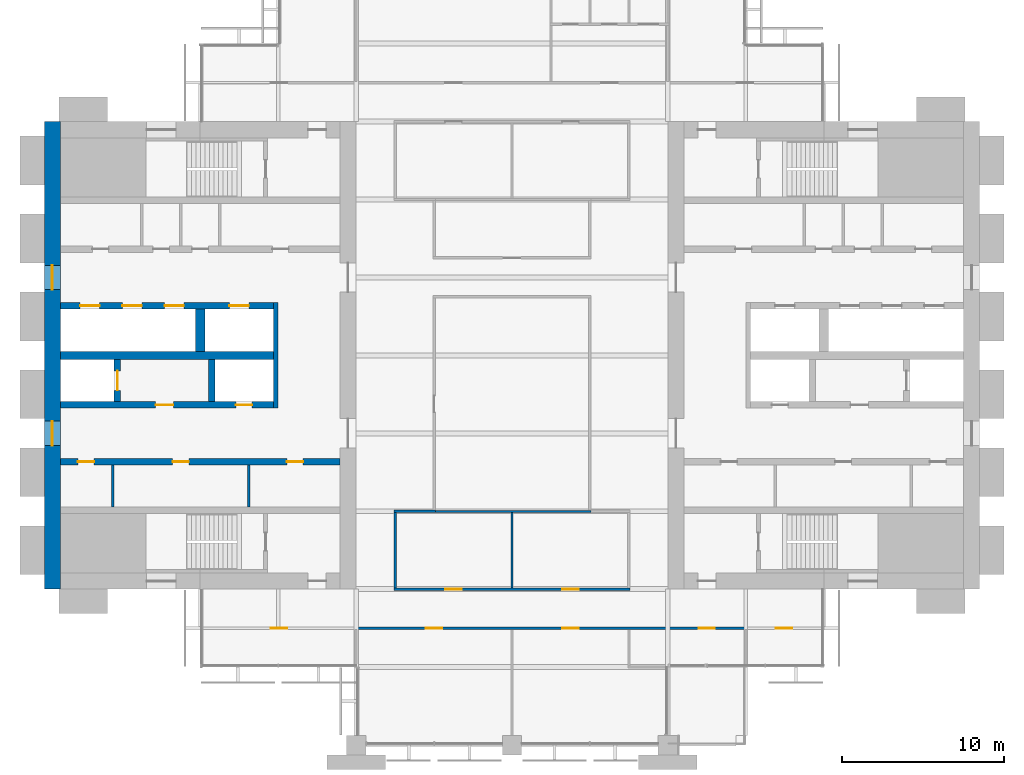
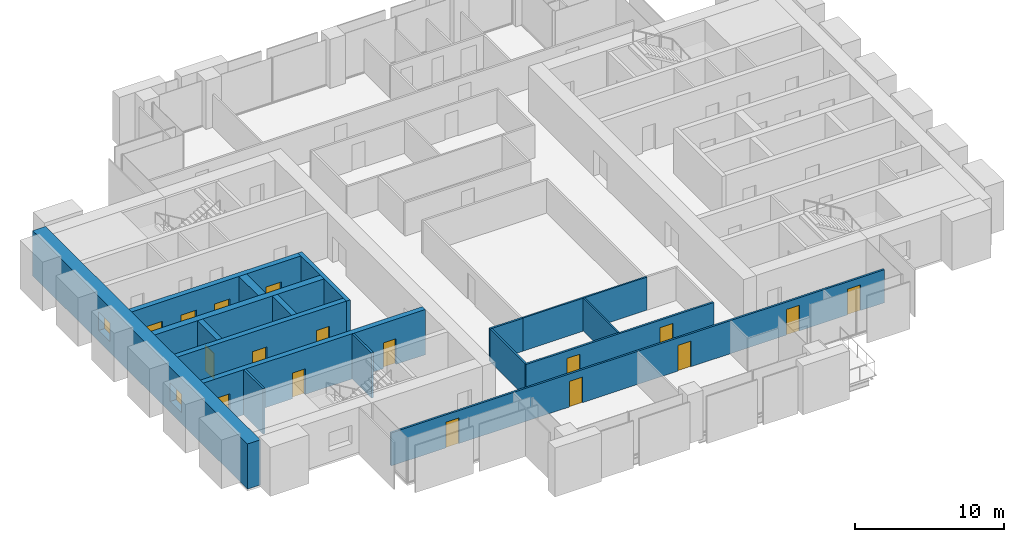
# One storey, part 8 of 13: 17 doors, 17 walls, 2 windows, 19 openings.
"""IFC4 building model written with IfcOpenShell, lengths in metres."""

from ifc_helpers import new_model, si_unit, direction, frame, frame_2d, origin, place, context, subcontext, project, spatial, rectangle, extrude, material, layer, layer_set, type_object, element, fill, save


model = new_model("IFC4")

# Units and contexts
model_context = context("Model", 3, precision=1e-05, world=origin(), true_north=direction((0.0, 1.0)))
body_context = subcontext(model_context, "Body", "Model", "MODEL_VIEW")
ifc_project = project(units=[si_unit("LENGTHUNIT", "METRE"), si_unit("AREAUNIT", "SQUARE_METRE"), si_unit("VOLUMEUNIT", "CUBIC_METRE"), si_unit("PLANEANGLEUNIT", "RADIAN"), si_unit("MASSUNIT", "GRAM", prefix="KILO")], contexts=[model_context])

# Site, building, storey
site_placement = place(None, origin())
site = spatial("IfcSite", under=ifc_project, at=site_placement, CompositionType="ELEMENT")
building_placement = place(site_placement, origin())
building = spatial("IfcBuilding", under=site, at=building_placement, Name="Baori Bourse Tower", CompositionType="ELEMENT")
storey_placement = place(building_placement, frame((0.0, 0.0, 172.10009765625)))
storey = spatial("IfcBuildingStorey", under=building, at=storey_placement, Name="L38", CompositionType="ELEMENT", Elevation=172.10009765625)

# Walls
ifc_material_1 = material(Name="Blockwork partition", Category="masonry")
ifc_layer_1 = layer(ifc_material_1, 0.14990234375)
ifc_layer_set_1 = layer_set([ifc_layer_1], Name="Core partition 150")
wall_type_1 = type_object("IfcWallType", Name="Core partition 150", PredefinedType="PARTITIONING", material=ifc_layer_set_1)
for number, where, z_axis, x_axis, name in (
    (1, (4.199951171875, 14.64990234375, 0.0), (0.0, 0.0, 1.0), (0.0, 1.0, 0.0), "Partition wall W10"),
    (2, (12.60009765625, 14.64990234375, 0.0), (0.0, 0.0, 1.0), (0.0, 1.0, 0.0), "Partition wall W11"),
):
    element("IfcWall", number, at=place(storey_placement, frame(where, z_axis=z_axis, x_axis=x_axis)), inside=storey, type_object=wall_type_1, Name=name, PredefinedType="PARTITIONING", context=body_context, shape_type="SweptSolid", body=[
        extrude(rectangle(XDim=2.60009765625, YDim=0.14990234375, at=frame_2d((1.300048828125, 0.0))), origin(), (0.0, 0.0, 1.0), 3.699951171875),
    ])

# Wall, openings, windows
ifc_material_2 = material(Name="Concrete f'c 60 MPa", Category="concrete")
ifc_layer_2 = layer(ifc_material_2, 1.0)
ifc_layer_set_2 = layer_set([ifc_layer_2], Name="Core wall 1000 f'c 60")
wall_type_2 = type_object("IfcWallType", Name="Core wall 1000 f'c 60", PredefinedType="SHEAR", material=ifc_layer_set_2)
wall_1_placement = place(storey_placement, frame((0.5, 9.60009765625, 0.0), z_axis=(0.0, 0.0, 1.0), x_axis=(0.0, 1.0, 0.0)))
wall_1 = element("IfcWall", 3, at=wall_1_placement, inside=storey, type_object=wall_type_2, Name="Core wall W01", PredefinedType="SHEAR", context=body_context, shape_type="SweptSolid", body=[
    extrude(rectangle(XDim=28.7998046875, YDim=1.0, at=frame_2d((14.39990234375, 0.0))), origin(), (0.0, 0.0, 1.0), 3.699951171875),
])
opening_1_placement = place(wall_1_placement, frame((8.85009765625, 0.0, 0.89990234375)))
opening_1 = element("IfcOpeningElement", 4, at=opening_1_placement, cuts=wall_1, Name="Opening L38-KW101", PredefinedType="OPENING", context=body_context, shape_type="SweptSolid", body=[
    extrude(rectangle(XDim=1.5, YDim=1.5, at=frame_2d((0.75, 0.75))), frame((0.0, 0.510009765625, 0.0), z_axis=(0.0, -1.0, 0.0), x_axis=(1.0, 0.0, 0.0)), (0.0, 0.0, 1.0), 1.02001953125),
])
opening_2_placement = place(wall_1_placement, frame((18.449951171875, 0.0, 0.89990234375)))
opening_2 = element("IfcOpeningElement", 5, at=opening_2_placement, cuts=wall_1, Name="Opening L38-KW102", PredefinedType="OPENING", context=body_context, shape_type="SweptSolid", body=[
    extrude(rectangle(XDim=1.5, YDim=1.5, at=frame_2d((0.75, 0.75))), frame((0.0, 0.510009765625, 0.0), z_axis=(0.0, -1.0, 0.0), x_axis=(1.0, 0.0, 0.0)), (0.0, 0.0, 1.0), 1.02001953125),
])
ifc_material_3 = material(Name="Pale anodised aluminium", Category="aluminium")
window_type = type_object("IfcWindowType", Name="Lobby window 1500 x 1500", PartitioningType="SINGLE_PANEL", PredefinedType="WINDOW", material=ifc_material_3)
window_1_placement = place(opening_1_placement, origin())
window_1 = element("IfcWindow", 6, at=window_1_placement, inside=storey, type_object=window_type, Name="Outer wall window W L38 1", OverallHeight=1.5, OverallWidth=1.5, PartitioningType="SINGLE_PANEL", PredefinedType="WINDOW", context=body_context, shape_type="SweptSolid", body=[
    extrude(rectangle(XDim=1.5, YDim=1.5, at=frame_2d((0.75, 0.75))), frame((0.0, 0.030029296875, 0.0), z_axis=(0.0, -1.0, 0.0), x_axis=(1.0, 0.0, 0.0)), (0.0, 0.0, 1.0), 0.06005859375),
])
fill(opening_1, window_1)
window_2_placement = place(opening_2_placement, origin())
window_2 = element("IfcWindow", 7, at=window_2_placement, inside=storey, type_object=window_type, Name="Outer wall window W L38 2", OverallHeight=1.5, OverallWidth=1.5, PartitioningType="SINGLE_PANEL", PredefinedType="WINDOW", context=body_context, shape_type="SweptSolid", body=[
    extrude(rectangle(XDim=1.5, YDim=1.5, at=frame_2d((0.75, 0.75))), frame((0.0, 0.030029296875, 0.0), z_axis=(0.0, -1.0, 0.0), x_axis=(1.0, 0.0, 0.0)), (0.0, 0.0, 1.0), 0.06005859375),
])
fill(opening_2, window_2)

# Wall, openings, doors
ifc_material_4 = material(Name="Gypsum board partition")
ifc_layer_3 = layer(ifc_material_4, 0.14990234375)
ifc_layer_set_3 = layer_set([ifc_layer_3], Name="Corridor partition 150")
wall_type_3 = type_object("IfcWallType", Name="Corridor partition 150", PredefinedType="PARTITIONING", material=ifc_layer_set_3)
wall_2_placement = place(storey_placement, frame((9.699951171875, 7.199951171875, 0.0), z_axis=(0.0, 0.0, 1.0), x_axis=(1.0, 0.0, 0.0)))
wall_2 = element("IfcWall", 8, at=wall_2_placement, inside=storey, type_object=wall_type_3, Name="Partition", PredefinedType="PARTITIONING", context=body_context, shape_type="SweptSolid", body=[
    extrude(rectangle(XDim=38.199951171875, YDim=0.14990234375, at=frame_2d((19.10009765625, 0.0))), origin(), (0.0, 0.0, 1.0), 2.709228515625),
])
opening_3_placement = place(wall_2_placement, frame((4.25, 0.0, 0.0)))
opening_3 = element("IfcOpeningElement", 9, at=opening_3_placement, cuts=wall_2, Name="Opening L38-D01", PredefinedType="OPENING", context=body_context, shape_type="SweptSolid", body=[
    extrude(rectangle(XDim=1.0, YDim=2.10009765625, at=frame_2d((0.5, 1.050048828125))), frame((0.0, 0.0849609375, 0.0), z_axis=(0.0, -1.0, 0.0), x_axis=(1.0, 0.0, 0.0)), (0.0, 0.0, 1.0), 0.169921875),
])
opening_4_placement = place(wall_2_placement, frame((13.800048828125, 0.0, 0.0)))
opening_4 = element("IfcOpeningElement", 10, at=opening_4_placement, cuts=wall_2, Name="Opening L38-D02", PredefinedType="OPENING", context=body_context, shape_type="SweptSolid", body=[
    extrude(rectangle(XDim=1.0, YDim=2.10009765625, at=frame_2d((0.5, 1.050048828125))), frame((0.0, 0.0849609375, 0.0), z_axis=(0.0, -1.0, 0.0), x_axis=(1.0, 0.0, 0.0)), (0.0, 0.0, 1.0), 0.169921875),
])
opening_5_placement = place(wall_2_placement, frame((22.199951171875, 0.0, 0.0)))
opening_5 = element("IfcOpeningElement", 11, at=opening_5_placement, cuts=wall_2, Name="Opening L38-D03", PredefinedType="OPENING", context=body_context, shape_type="SweptSolid", body=[
    extrude(rectangle(XDim=1.0, YDim=2.10009765625, at=frame_2d((0.5, 1.050048828125))), frame((0.0, 0.0849609375, 0.0), z_axis=(0.0, -1.0, 0.0), x_axis=(1.0, 0.0, 0.0)), (0.0, 0.0, 1.0), 0.169921875),
])
opening_6_placement = place(wall_2_placement, frame((30.60009765625, 0.0, 0.0)))
opening_6 = element("IfcOpeningElement", 12, at=opening_6_placement, cuts=wall_2, Name="Opening L38-D04", PredefinedType="OPENING", context=body_context, shape_type="SweptSolid", body=[
    extrude(rectangle(XDim=1.0, YDim=2.10009765625, at=frame_2d((0.5, 1.050048828125))), frame((0.0, 0.0849609375, 0.0), z_axis=(0.0, -1.0, 0.0), x_axis=(1.0, 0.0, 0.0)), (0.0, 0.0, 1.0), 0.169921875),
])
opening_7_placement = place(wall_2_placement, frame((35.35009765625, 0.0, 0.0)))
opening_7 = element("IfcOpeningElement", 13, at=opening_7_placement, cuts=wall_2, Name="Opening L38-D05", PredefinedType="OPENING", context=body_context, shape_type="SweptSolid", body=[
    extrude(rectangle(XDim=1.0, YDim=2.10009765625, at=frame_2d((0.5, 1.050048828125))), frame((0.0, 0.0849609375, 0.0), z_axis=(0.0, -1.0, 0.0), x_axis=(1.0, 0.0, 0.0)), (0.0, 0.0, 1.0), 0.169921875),
])
ifc_material_5 = material(Name="Timber door leaf", Category="wood")
door_type_1 = type_object("IfcDoorType", Name="Door 1000 x 2100", OperationType="SINGLE_SWING_LEFT", PredefinedType="DOOR", material=ifc_material_5)
door_1_placement = place(opening_3_placement, origin())
door_1 = element("IfcDoor", 14, at=door_1_placement, inside=storey, type_object=door_type_1, Name="Door", OperationType="SINGLE_SWING_LEFT", OverallHeight=2.10009765625, OverallWidth=1.0, PredefinedType="DOOR", context=body_context, shape_type="SweptSolid", body=[
    extrude(rectangle(XDim=1.0, YDim=2.10009765625, at=frame_2d((0.5, 1.050048828125))), frame((0.0, 0.02490234375, 0.0), z_axis=(0.0, -1.0, 0.0), x_axis=(1.0, 0.0, 0.0)), (0.0, 0.0, 1.0), 0.050048828125),
])
fill(opening_3, door_1)
door_2_placement = place(opening_4_placement, origin())
door_2 = element("IfcDoor", 15, at=door_2_placement, inside=storey, type_object=door_type_1, Name="Door", OperationType="SINGLE_SWING_LEFT", OverallHeight=2.10009765625, OverallWidth=1.0, PredefinedType="DOOR", context=body_context, shape_type="SweptSolid", body=[
    extrude(rectangle(XDim=1.0, YDim=2.10009765625, at=frame_2d((0.5, 1.050048828125))), frame((0.0, 0.02490234375, 0.0), z_axis=(0.0, -1.0, 0.0), x_axis=(1.0, 0.0, 0.0)), (0.0, 0.0, 1.0), 0.050048828125),
])
fill(opening_4, door_2)
door_3_placement = place(opening_5_placement, origin())
door_3 = element("IfcDoor", 16, at=door_3_placement, inside=storey, type_object=door_type_1, Name="Door", OperationType="SINGLE_SWING_RIGHT", OverallHeight=2.10009765625, OverallWidth=1.0, PredefinedType="DOOR", context=body_context, shape_type="SweptSolid", body=[
    extrude(rectangle(XDim=1.0, YDim=2.10009765625, at=frame_2d((0.5, 1.050048828125))), frame((0.0, 0.02490234375, 0.0), z_axis=(0.0, -1.0, 0.0), x_axis=(1.0, 0.0, 0.0)), (0.0, 0.0, 1.0), 0.050048828125),
])
fill(opening_5, door_3)
door_4_placement = place(opening_6_placement, origin())
door_4 = element("IfcDoor", 17, at=door_4_placement, inside=storey, type_object=door_type_1, Name="Door", OperationType="SINGLE_SWING_RIGHT", OverallHeight=2.10009765625, OverallWidth=1.0, PredefinedType="DOOR", context=body_context, shape_type="SweptSolid", body=[
    extrude(rectangle(XDim=1.0, YDim=2.10009765625, at=frame_2d((0.5, 1.050048828125))), frame((0.0, 0.02490234375, 0.0), z_axis=(0.0, -1.0, 0.0), x_axis=(1.0, 0.0, 0.0)), (0.0, 0.0, 1.0), 0.050048828125),
])
fill(opening_6, door_4)
door_5_placement = place(opening_7_placement, origin())
door_5 = element("IfcDoor", 18, at=door_5_placement, inside=storey, type_object=door_type_1, Name="Door", OperationType="SINGLE_SWING_RIGHT", OverallHeight=2.10009765625, OverallWidth=1.0, PredefinedType="DOOR", context=body_context, shape_type="SweptSolid", body=[
    extrude(rectangle(XDim=1.0, YDim=2.10009765625, at=frame_2d((0.5, 1.050048828125))), frame((0.0, 0.02490234375, 0.0), z_axis=(0.0, -1.0, 0.0), x_axis=(1.0, 0.0, 0.0)), (0.0, 0.0, 1.0), 0.050048828125),
])
fill(opening_7, door_5)

wall_3_placement = place(storey_placement, frame((21.52490234375, 9.60009765625, 0.0), z_axis=(0.0, 0.0, 1.0), x_axis=(1.0, 0.0, 0.0)))
wall_3 = element("IfcWall", 19, at=wall_3_placement, inside=storey, type_object=wall_type_3, Name="Partition", PredefinedType="PARTITIONING", context=body_context, shape_type="SweptSolid", body=[
    extrude(rectangle(XDim=14.550048828125, YDim=0.14990234375, at=frame_2d((7.27490234375, 0.0))), origin(), (0.0, 0.0, 1.0), 2.709228515625),
])
opening_8_placement = place(wall_3_placement, frame((3.175048828125, 0.0, 0.0)))
opening_8 = element("IfcOpeningElement", 20, at=opening_8_placement, cuts=wall_3, Name="Opening L38-D06", PredefinedType="OPENING", context=body_context, shape_type="SweptSolid", body=[
    extrude(rectangle(XDim=1.0, YDim=2.10009765625, at=frame_2d((0.5, 1.050048828125))), frame((0.0, 0.0849609375, 0.0), z_axis=(0.0, -1.0, 0.0), x_axis=(1.0, 0.0, 0.0)), (0.0, 0.0, 1.0), 0.169921875),
])
opening_9_placement = place(wall_3_placement, frame((10.375, 0.0, 0.0)))
opening_9 = element("IfcOpeningElement", 21, at=opening_9_placement, cuts=wall_3, Name="Opening L38-D07", PredefinedType="OPENING", context=body_context, shape_type="SweptSolid", body=[
    extrude(rectangle(XDim=1.0, YDim=2.10009765625, at=frame_2d((0.5, 1.050048828125))), frame((0.0, 0.0849609375, 0.0), z_axis=(0.0, -1.0, 0.0), x_axis=(1.0, 0.0, 0.0)), (0.0, 0.0, 1.0), 0.169921875),
])
door_6_placement = place(opening_8_placement, origin())
door_6 = element("IfcDoor", 22, at=door_6_placement, inside=storey, type_object=door_type_1, Name="Door", OperationType="SINGLE_SWING_RIGHT", OverallHeight=2.10009765625, OverallWidth=1.0, PredefinedType="DOOR", context=body_context, shape_type="SweptSolid", body=[
    extrude(rectangle(XDim=1.0, YDim=2.10009765625, at=frame_2d((0.5, 1.050048828125))), frame((0.0, 0.02490234375, 0.0), z_axis=(0.0, -1.0, 0.0), x_axis=(1.0, 0.0, 0.0)), (0.0, 0.0, 1.0), 0.050048828125),
])
fill(opening_8, door_6)
door_7_placement = place(opening_9_placement, origin())
door_7 = element("IfcDoor", 23, at=door_7_placement, inside=storey, type_object=door_type_1, Name="Door", OperationType="SINGLE_SWING_LEFT", OverallHeight=2.10009765625, OverallWidth=1.0, PredefinedType="DOOR", context=body_context, shape_type="SweptSolid", body=[
    extrude(rectangle(XDim=1.0, YDim=2.10009765625, at=frame_2d((0.5, 1.050048828125))), frame((0.0, 0.02490234375, 0.0), z_axis=(0.0, -1.0, 0.0), x_axis=(1.0, 0.0, 0.0)), (0.0, 0.0, 1.0), 0.050048828125),
])
fill(opening_9, door_7)

# Walls
wall_4_placement = place(storey_placement, frame((21.52490234375, 14.39990234375, 0.0), z_axis=(0.0, 0.0, 1.0), x_axis=(1.0, 0.0, 0.0)))
element("IfcWall", 24, at=wall_4_placement, inside=storey, type_object=wall_type_3, Name="Partition", PredefinedType="PARTITIONING", context=body_context, shape_type="SweptSolid", body=[
    extrude(rectangle(XDim=2.550048828125, YDim=0.14990234375, at=frame_2d((1.27490234375, 0.0))), origin(), (0.0, 0.0, 1.0), 2.709228515625),
])
wall_5_placement = place(storey_placement, frame((21.60009765625, 9.675048828125, 0.0), z_axis=(0.0, 0.0, 1.0), x_axis=(0.0, 1.0, 0.0)))
element("IfcWall", 25, at=wall_5_placement, inside=storey, type_object=wall_type_3, Name="Partition", PredefinedType="PARTITIONING", context=body_context, shape_type="SweptSolid", body=[
    extrude(rectangle(XDim=4.64990234375, YDim=0.14990234375, at=frame_2d((2.324951171875, 0.0))), origin(), (0.0, 0.0, 1.0), 2.709228515625),
])
ifc_material_6 = material(Name="Gypsum board partition")
ifc_layer_4 = layer(ifc_material_6, 0.125)
ifc_layer_set_4 = layer_set([ifc_layer_4], Name="Partition 125")
wall_type_4 = type_object("IfcWallType", Name="Partition 125", PredefinedType="PARTITIONING", material=ifc_layer_set_4)
wall_6_placement = place(storey_placement, frame((24.074951171875, 14.39990234375, 0.0), z_axis=(0.0, 0.0, 1.0), x_axis=(1.0, 0.0, 0.0)))
element("IfcWall", 26, at=wall_6_placement, inside=storey, type_object=wall_type_4, Name="Partition", PredefinedType="PARTITIONING", context=body_context, shape_type="SweptSolid", body=[
    extrude(rectangle(XDim=9.60009765625, YDim=0.125, at=frame_2d((4.800048828125, 0.0))), origin(), (0.0, 0.0, 1.0), 2.709228515625),
])
wall_7_placement = place(storey_placement, frame((28.800048828125, 9.675048828125, 0.0), z_axis=(0.0, 0.0, 1.0), x_axis=(0.0, 1.0, 0.0)))
element("IfcWall", 27, at=wall_7_placement, inside=storey, type_object=wall_type_4, Name="Partition", PredefinedType="PARTITIONING", context=body_context, shape_type="SweptSolid", body=[
    extrude(rectangle(XDim=4.662353515625, YDim=0.125, at=frame_2d((2.3310546875, 0.0))), origin(), (0.0, 0.0, 1.0), 2.709228515625),
])
ifc_material_7 = material(Name="Concrete f'c 60 MPa", Category="concrete")
ifc_layer_5 = layer(ifc_material_7, 0.300048828125)
ifc_layer_set_5 = layer_set([ifc_layer_5], Name="Shaft wall 300 f'c 60")
wall_type_5 = type_object("IfcWallType", Name="Shaft wall 300 f'c 60", PredefinedType="SHEAR", material=ifc_layer_set_5)
wall_8_placement = place(storey_placement, frame((14.25, 20.75, 0.0), z_axis=(0.0, 0.0, 1.0), x_axis=(0.0, 1.0, 0.0)))
element("IfcWall", 28, at=wall_8_placement, inside=storey, type_object=wall_type_5, Name="Core wall W14", PredefinedType="SHEAR", context=body_context, shape_type="SweptSolid", body=[
    extrude(rectangle(XDim=6.5, YDim=0.300048828125, at=frame_2d((3.25, 0.0))), origin(), (0.0, 0.0, 1.0), 3.699951171875),
])

# Wall, openings, doors
ifc_material_8 = material(Name="Concrete f'c 60 MPa", Category="concrete")
ifc_layer_6 = layer(ifc_material_8, 0.39990234375)
ifc_layer_set_6 = layer_set([ifc_layer_6], Name="Shaft wall 400 f'c 60")
wall_type_6 = type_object("IfcWallType", Name="Shaft wall 400 f'c 60", PredefinedType="SHEAR", material=ifc_layer_set_6)
wall_9_placement = place(storey_placement, frame((1.0, 17.449951171875, 0.0), z_axis=(0.0, 0.0, 1.0), x_axis=(1.0, 0.0, 0.0)))
wall_9 = element("IfcWall", 29, at=wall_9_placement, inside=storey, type_object=wall_type_6, Name="Core wall W12", PredefinedType="SHEAR", context=body_context, shape_type="SweptSolid", body=[
    extrude(rectangle(XDim=17.199951171875, YDim=0.39990234375, at=frame_2d((8.60009765625, 0.0))), origin(), (0.0, 0.0, 1.0), 3.699951171875),
])
opening_10_placement = place(wall_9_placement, frame((1.0625, 0.0, 0.0)))
opening_10 = element("IfcOpeningElement", 30, at=opening_10_placement, cuts=wall_9, Name="Opening L38-D113", PredefinedType="OPENING", context=body_context, shape_type="SweptSolid", body=[
    extrude(rectangle(XDim=1.0, YDim=2.10009765625, at=frame_2d((0.5, 1.050048828125))), frame((0.0, 0.2099609375, 0.0), z_axis=(0.0, -1.0, 0.0), x_axis=(1.0, 0.0, 0.0)), (0.0, 0.0, 1.0), 0.419921875),
])
opening_11_placement = place(wall_9_placement, frame((6.89990234375, 0.0, 0.0)))
opening_11 = element("IfcOpeningElement", 31, at=opening_11_placement, cuts=wall_9, Name="Opening L38-D114", PredefinedType="OPENING", context=body_context, shape_type="SweptSolid", body=[
    extrude(rectangle(XDim=1.0, YDim=2.10009765625, at=frame_2d((0.5, 1.050048828125))), frame((0.0, 0.2099609375, 0.0), z_axis=(0.0, -1.0, 0.0), x_axis=(1.0, 0.0, 0.0)), (0.0, 0.0, 1.0), 0.419921875),
])
opening_12_placement = place(wall_9_placement, frame((13.9375, 0.0, 0.0)))
opening_12 = element("IfcOpeningElement", 32, at=opening_12_placement, cuts=wall_9, Name="Opening L38-D115", PredefinedType="OPENING", context=body_context, shape_type="SweptSolid", body=[
    extrude(rectangle(XDim=1.0, YDim=2.10009765625, at=frame_2d((0.5, 1.050048828125))), frame((0.0, 0.2099609375, 0.0), z_axis=(0.0, -1.0, 0.0), x_axis=(1.0, 0.0, 0.0)), (0.0, 0.0, 1.0), 0.419921875),
])
ifc_material_9 = material(Name="Painted steel door", Category="steel")
door_type_2 = type_object("IfcDoorType", Name="Core door 1000", OperationType="SINGLE_SWING_LEFT", PredefinedType="DOOR", material=ifc_material_9)
door_8_placement = place(opening_10_placement, origin())
door_8 = element("IfcDoor", 33, at=door_8_placement, inside=storey, type_object=door_type_2, Name="Accessible Wc door W L38", OperationType="SINGLE_SWING_LEFT", OverallHeight=2.10009765625, OverallWidth=1.0, PredefinedType="DOOR", context=body_context, shape_type="SweptSolid", body=[
    extrude(rectangle(XDim=1.0, YDim=2.10009765625, at=frame_2d((0.5, 1.050048828125))), frame((0.0, 0.02490234375, 0.0), z_axis=(0.0, -1.0, 0.0), x_axis=(1.0, 0.0, 0.0)), (0.0, 0.0, 1.0), 0.050048828125),
])
fill(opening_10, door_8)
door_9_placement = place(opening_11_placement, origin())
door_9 = element("IfcDoor", 34, at=door_9_placement, inside=storey, type_object=door_type_2, Name="Men'S Wc door W L38", OperationType="SINGLE_SWING_LEFT", OverallHeight=2.10009765625, OverallWidth=1.0, PredefinedType="DOOR", context=body_context, shape_type="SweptSolid", body=[
    extrude(rectangle(XDim=1.0, YDim=2.10009765625, at=frame_2d((0.5, 1.050048828125))), frame((0.0, 0.02490234375, 0.0), z_axis=(0.0, -1.0, 0.0), x_axis=(1.0, 0.0, 0.0)), (0.0, 0.0, 1.0), 0.050048828125),
])
fill(opening_11, door_9)
door_10_placement = place(opening_12_placement, origin())
door_10 = element("IfcDoor", 35, at=door_10_placement, inside=storey, type_object=door_type_2, Name="Women'S Wc door W L38", OperationType="SINGLE_SWING_LEFT", OverallHeight=2.10009765625, OverallWidth=1.0, PredefinedType="DOOR", context=body_context, shape_type="SweptSolid", body=[
    extrude(rectangle(XDim=1.0, YDim=2.10009765625, at=frame_2d((0.5, 1.050048828125))), frame((0.0, 0.02490234375, 0.0), z_axis=(0.0, -1.0, 0.0), x_axis=(1.0, 0.0, 0.0)), (0.0, 0.0, 1.0), 0.050048828125),
])
fill(opening_12, door_10)

wall_10_placement = place(storey_placement, frame((1.0, 20.949951171875, 0.0), z_axis=(0.0, 0.0, 1.0), x_axis=(1.0, 0.0, 0.0)))
wall_10 = element("IfcWall", 36, at=wall_10_placement, inside=storey, type_object=wall_type_6, Name="Core wall W13", PredefinedType="SHEAR", context=body_context, shape_type="SweptSolid", body=[
    extrude(rectangle(XDim=13.10009765625, YDim=0.39990234375, at=frame_2d((6.550048828125, 0.0))), origin(), (0.0, 0.0, 1.0), 3.699951171875),
])
opening_13_placement = place(wall_10_placement, frame((5.85009765625, 0.0, 0.0)))
opening_13 = element("IfcOpeningElement", 37, at=opening_13_placement, cuts=wall_10, Name="Opening L38-D105", PredefinedType="OPENING", context=body_context, shape_type="SweptSolid", body=[
    extrude(rectangle(XDim=1.10009765625, YDim=2.10009765625, at=frame_2d((0.550048828125, 1.050048828125))), frame((0.0, 0.2099609375, 0.0), z_axis=(0.0, -1.0, 0.0), x_axis=(1.0, 0.0, 0.0)), (0.0, 0.0, 1.0), 0.419921875),
])
opening_14_placement = place(wall_10_placement, frame((10.800048828125, 0.0, 0.0)))
opening_14 = element("IfcOpeningElement", 38, at=opening_14_placement, cuts=wall_10, Name="Opening L38-D106", PredefinedType="OPENING", context=body_context, shape_type="SweptSolid", body=[
    extrude(rectangle(XDim=1.0, YDim=2.10009765625, at=frame_2d((0.5, 1.050048828125))), frame((0.0, 0.2099609375, 0.0), z_axis=(0.0, -1.0, 0.0), x_axis=(1.0, 0.0, 0.0)), (0.0, 0.0, 1.0), 0.419921875),
])
ifc_material_10 = material(Name="Painted steel door", Category="steel")
door_type_3 = type_object("IfcDoorType", Name="Lobby door 1100", OperationType="SINGLE_SWING_LEFT", PredefinedType="DOOR", material=ifc_material_10)
door_11_placement = place(opening_13_placement, origin())
door_11 = element("IfcDoor", 39, at=door_11_placement, inside=storey, type_object=door_type_3, Name="Firefighting lobby door W L38", OperationType="SINGLE_SWING_LEFT", OverallHeight=2.10009765625, OverallWidth=1.10009765625, PredefinedType="DOOR", context=body_context, shape_type="SweptSolid", body=[
    extrude(rectangle(XDim=1.10009765625, YDim=2.10009765625, at=frame_2d((0.550048828125, 1.050048828125))), frame((0.0, 0.02490234375, 0.0), z_axis=(0.0, -1.0, 0.0), x_axis=(1.0, 0.0, 0.0)), (0.0, 0.0, 1.0), 0.050048828125),
])
fill(opening_13, door_11)
ifc_material_11 = material(Name="Painted steel door", Category="steel")
door_type_4 = type_object("IfcDoorType", Name="Shaft door 1000", OperationType="SINGLE_SWING_LEFT", PredefinedType="DOOR", material=ifc_material_11)
door_12_placement = place(opening_14_placement, origin())
door_12 = element("IfcDoor", 40, at=door_12_placement, inside=storey, type_object=door_type_4, Name="Riser room door W L38", OperationType="SINGLE_SWING_LEFT", OverallHeight=2.10009765625, OverallWidth=1.0, PredefinedType="DOOR", context=body_context, shape_type="SweptSolid", body=[
    extrude(rectangle(XDim=1.0, YDim=2.10009765625, at=frame_2d((0.5, 1.050048828125))), frame((0.0, 0.02490234375, 0.0), z_axis=(0.0, -1.0, 0.0), x_axis=(1.0, 0.0, 0.0)), (0.0, 0.0, 1.0), 0.050048828125),
])
fill(opening_14, door_12)

# Wall, opening, door
wall_11_placement = place(storey_placement, frame((4.5, 21.14990234375, 0.0), z_axis=(0.0, 0.0, 1.0), x_axis=(0.0, 1.0, 0.0)))
wall_11 = element("IfcWall", 41, at=wall_11_placement, inside=storey, type_object=wall_type_6, Name="Core wall W15", PredefinedType="SHEAR", context=body_context, shape_type="SweptSolid", body=[
    extrude(rectangle(XDim=2.60009765625, YDim=0.39990234375, at=frame_2d((1.300048828125, 0.0))), origin(), (0.0, 0.0, 1.0), 3.699951171875),
])
opening_15_placement = place(wall_11_placement, frame((0.699951171875, 0.0, 0.0)))
opening_15 = element("IfcOpeningElement", 42, at=opening_15_placement, cuts=wall_11, Name="Opening L38-D120", PredefinedType="OPENING", context=body_context, shape_type="SweptSolid", body=[
    extrude(rectangle(XDim=1.199951171875, YDim=2.10009765625, at=frame_2d((0.60009765625, 1.050048828125))), frame((0.0, 0.2099609375, 0.0), z_axis=(0.0, -1.0, 0.0), x_axis=(1.0, 0.0, 0.0)), (0.0, 0.0, 1.0), 0.419921875),
])
ifc_material_12 = material(Name="Stainless steel door", Category="steel")
door_type_5 = type_object("IfcDoorType", Name="Lift landing door", OperationType="DOUBLE_DOOR_SLIDING", PredefinedType="DOOR", material=ifc_material_12)
door_13_placement = place(opening_15_placement, origin())
door_13 = element("IfcDoor", 43, at=door_13_placement, inside=storey, type_object=door_type_5, Name="Lift landing door FF1 W L38", OperationType="DOUBLE_DOOR_SLIDING", OverallHeight=2.10009765625, OverallWidth=1.199951171875, PredefinedType="DOOR", context=body_context, shape_type="SweptSolid", body=[
    extrude(rectangle(XDim=1.199951171875, YDim=2.10009765625, at=frame_2d((0.60009765625, 1.050048828125))), frame((0.0, 0.02490234375, 0.0), z_axis=(0.0, -1.0, 0.0), x_axis=(1.0, 0.0, 0.0)), (0.0, 0.0, 1.0), 0.050048828125),
])
fill(opening_15, door_13)

# Wall
wall_12_placement = place(storey_placement, frame((10.300048828125, 21.14990234375, 0.0), z_axis=(0.0, 0.0, 1.0), x_axis=(0.0, 1.0, 0.0)))
element("IfcWall", 44, at=wall_12_placement, inside=storey, type_object=wall_type_6, Name="Core wall W16", PredefinedType="SHEAR", context=body_context, shape_type="SweptSolid", body=[
    extrude(rectangle(XDim=2.60009765625, YDim=0.39990234375, at=frame_2d((1.300048828125, 0.0))), origin(), (0.0, 0.0, 1.0), 3.699951171875),
])

# Wall, openings, doors
wall_13_placement = place(storey_placement, frame((1.0, 27.050048828125, 0.0), z_axis=(0.0, 0.0, 1.0), x_axis=(1.0, 0.0, 0.0)))
wall_13 = element("IfcWall", 45, at=wall_13_placement, inside=storey, type_object=wall_type_6, Name="Core wall W19", PredefinedType="SHEAR", context=body_context, shape_type="SweptSolid", body=[
    extrude(rectangle(XDim=13.10009765625, YDim=0.39990234375, at=frame_2d((6.550048828125, 0.0))), origin(), (0.0, 0.0, 1.0), 3.699951171875),
])
opening_16_placement = place(wall_13_placement, frame((1.199951171875, 0.0, 0.0)))
opening_16 = element("IfcOpeningElement", 46, at=opening_16_placement, cuts=wall_13, Name="Opening L38-D116", PredefinedType="OPENING", context=body_context, shape_type="SweptSolid", body=[
    extrude(rectangle(XDim=1.199951171875, YDim=2.10009765625, at=frame_2d((0.60009765625, 1.050048828125))), frame((0.0, 0.2099609375, 0.0), z_axis=(0.0, -1.0, 0.0), x_axis=(1.0, 0.0, 0.0)), (0.0, 0.0, 1.0), 0.419921875),
])
opening_17_placement = place(wall_13_placement, frame((3.800048828125, 0.0, 0.0)))
opening_17 = element("IfcOpeningElement", 47, at=opening_17_placement, cuts=wall_13, Name="Opening L38-D117", PredefinedType="OPENING", context=body_context, shape_type="SweptSolid", body=[
    extrude(rectangle(XDim=1.199951171875, YDim=2.10009765625, at=frame_2d((0.60009765625, 1.050048828125))), frame((0.0, 0.2099609375, 0.0), z_axis=(0.0, -1.0, 0.0), x_axis=(1.0, 0.0, 0.0)), (0.0, 0.0, 1.0), 0.419921875),
])
opening_18_placement = place(wall_13_placement, frame((6.39990234375, 0.0, 0.0)))
opening_18 = element("IfcOpeningElement", 48, at=opening_18_placement, cuts=wall_13, Name="Opening L38-D118", PredefinedType="OPENING", context=body_context, shape_type="SweptSolid", body=[
    extrude(rectangle(XDim=1.199951171875, YDim=2.10009765625, at=frame_2d((0.60009765625, 1.050048828125))), frame((0.0, 0.2099609375, 0.0), z_axis=(0.0, -1.0, 0.0), x_axis=(1.0, 0.0, 0.0)), (0.0, 0.0, 1.0), 0.419921875),
])
opening_19_placement = place(wall_13_placement, frame((10.39990234375, 0.0, 0.0)))
opening_19 = element("IfcOpeningElement", 49, at=opening_19_placement, cuts=wall_13, Name="Opening L38-D119", PredefinedType="OPENING", context=body_context, shape_type="SweptSolid", body=[
    extrude(rectangle(XDim=1.199951171875, YDim=2.10009765625, at=frame_2d((0.60009765625, 1.050048828125))), frame((0.0, 0.2099609375, 0.0), z_axis=(0.0, -1.0, 0.0), x_axis=(1.0, 0.0, 0.0)), (0.0, 0.0, 1.0), 0.419921875),
])
door_14_placement = place(opening_16_placement, origin())
door_14 = element("IfcDoor", 50, at=door_14_placement, inside=storey, type_object=door_type_5, Name="Lift landing door SH1 W L38", OperationType="DOUBLE_DOOR_SLIDING", OverallHeight=2.10009765625, OverallWidth=1.199951171875, PredefinedType="DOOR", context=body_context, shape_type="SweptSolid", body=[
    extrude(rectangle(XDim=1.199951171875, YDim=2.10009765625, at=frame_2d((0.60009765625, 1.050048828125))), frame((0.0, 0.02490234375, 0.0), z_axis=(0.0, -1.0, 0.0), x_axis=(1.0, 0.0, 0.0)), (0.0, 0.0, 1.0), 0.050048828125),
])
fill(opening_16, door_14)
door_15_placement = place(opening_17_placement, origin())
door_15 = element("IfcDoor", 51, at=door_15_placement, inside=storey, type_object=door_type_5, Name="Lift landing door SH2 W L38", OperationType="DOUBLE_DOOR_SLIDING", OverallHeight=2.10009765625, OverallWidth=1.199951171875, PredefinedType="DOOR", context=body_context, shape_type="SweptSolid", body=[
    extrude(rectangle(XDim=1.199951171875, YDim=2.10009765625, at=frame_2d((0.60009765625, 1.050048828125))), frame((0.0, 0.02490234375, 0.0), z_axis=(0.0, -1.0, 0.0), x_axis=(1.0, 0.0, 0.0)), (0.0, 0.0, 1.0), 0.050048828125),
])
fill(opening_17, door_15)
door_16_placement = place(opening_18_placement, origin())
door_16 = element("IfcDoor", 52, at=door_16_placement, inside=storey, type_object=door_type_5, Name="Lift landing door SH3 W L38", OperationType="DOUBLE_DOOR_SLIDING", OverallHeight=2.10009765625, OverallWidth=1.199951171875, PredefinedType="DOOR", context=body_context, shape_type="SweptSolid", body=[
    extrude(rectangle(XDim=1.199951171875, YDim=2.10009765625, at=frame_2d((0.60009765625, 1.050048828125))), frame((0.0, 0.02490234375, 0.0), z_axis=(0.0, -1.0, 0.0), x_axis=(1.0, 0.0, 0.0)), (0.0, 0.0, 1.0), 0.050048828125),
])
fill(opening_18, door_16)
door_17_placement = place(opening_19_placement, origin())
door_17 = element("IfcDoor", 53, at=door_17_placement, inside=storey, type_object=door_type_5, Name="Lift landing door SV1 W L38", OperationType="DOUBLE_DOOR_SLIDING", OverallHeight=2.10009765625, OverallWidth=1.199951171875, PredefinedType="DOOR", context=body_context, shape_type="SweptSolid", body=[
    extrude(rectangle(XDim=1.199951171875, YDim=2.10009765625, at=frame_2d((0.60009765625, 1.050048828125))), frame((0.0, 0.02490234375, 0.0), z_axis=(0.0, -1.0, 0.0), x_axis=(1.0, 0.0, 0.0)), (0.0, 0.0, 1.0), 0.050048828125),
])
fill(opening_19, door_17)

# Walls
ifc_material_13 = material(Name="Concrete f'c 60 MPa", Category="concrete")
ifc_layer_7 = layer(ifc_material_13, 0.5)
ifc_layer_set_7 = layer_set([ifc_layer_7], Name="Shaft wall 500 f'c 60")
wall_type_7 = type_object("IfcWallType", Name="Shaft wall 500 f'c 60", PredefinedType="SHEAR", material=ifc_layer_set_7)
wall_14_placement = place(storey_placement, frame((1.0, 24.0, 0.0), z_axis=(0.0, 0.0, 1.0), x_axis=(1.0, 0.0, 0.0)))
element("IfcWall", 54, at=wall_14_placement, inside=storey, type_object=wall_type_7, Name="Core wall W17", PredefinedType="SHEAR", context=body_context, shape_type="SweptSolid", body=[
    extrude(rectangle(XDim=13.10009765625, YDim=0.5, at=frame_2d((6.550048828125, 0.0))), origin(), (0.0, 0.0, 1.0), 3.699951171875),
])
ifc_material_14 = material(Name="Concrete f'c 60 MPa", Category="concrete")
ifc_layer_8 = layer(ifc_material_14, 0.60009765625)
ifc_layer_set_8 = layer_set([ifc_layer_8], Name="Shaft wall 600 f'c 60")
wall_type_8 = type_object("IfcWallType", Name="Shaft wall 600 f'c 60", PredefinedType="SHEAR", material=ifc_layer_set_8)
wall_15_placement = place(storey_placement, frame((9.60009765625, 24.25, 0.0), z_axis=(0.0, 0.0, 1.0), x_axis=(0.0, 1.0, 0.0)))
element("IfcWall", 55, at=wall_15_placement, inside=storey, type_object=wall_type_8, Name="Core wall W18", PredefinedType="SHEAR", context=body_context, shape_type="SweptSolid", body=[
    extrude(rectangle(XDim=2.60009765625, YDim=0.60009765625, at=frame_2d((1.300048828125, 0.0))), origin(), (0.0, 0.0, 1.0), 3.699951171875),
])

save(model, "model.ifc")
